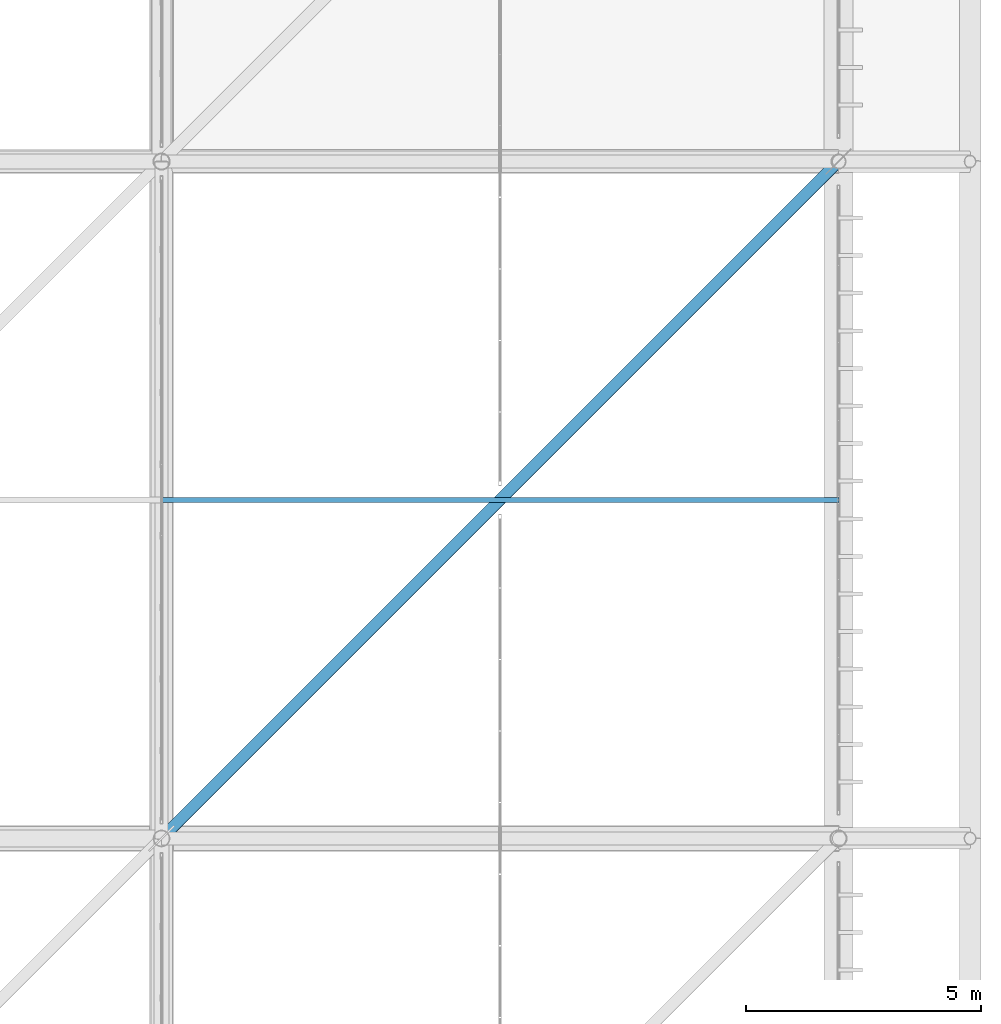
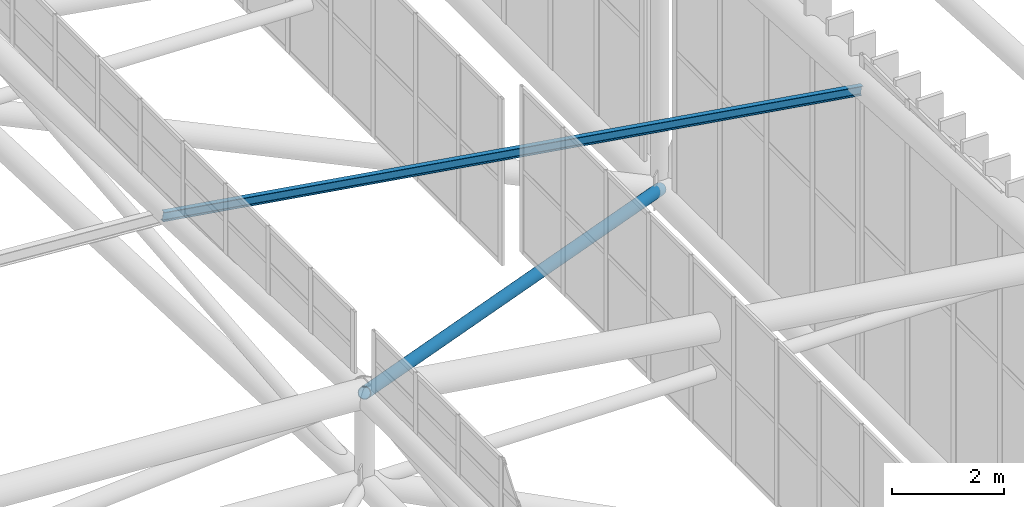
# One storey, part 277 of 397: 2 members.
"""IFC4 building model written with IfcOpenShell, lengths in metres."""

from ifc_helpers import new_model, si_unit, direction, frame, origin, origin_2d, place, context, subcontext, project, spatial, hollow_circle, i_section, extrude, material, material_profile, profile_set, type_object, element, save


model = new_model("IFC4")

# Units and contexts
model_context = context("Model", 3, precision=1e-05, world=origin(), true_north=direction((0.0, 1.0)))
body_context = subcontext(model_context, "Body", "Model", "MODEL_VIEW")
ifc_project = project(units=[si_unit("LENGTHUNIT", "METRE"), si_unit("AREAUNIT", "SQUARE_METRE"), si_unit("VOLUMEUNIT", "CUBIC_METRE"), si_unit("PLANEANGLEUNIT", "RADIAN"), si_unit("MASSUNIT", "GRAM", prefix="KILO")], contexts=[model_context])

# Site, building, storey
site_placement = place(None, origin())
site = spatial("IfcSite", under=ifc_project, at=site_placement, CompositionType="ELEMENT")
building_placement = place(site_placement, origin())
building = spatial("IfcBuilding", under=site, at=building_placement, Name="Qandorah Velis Arena", CompositionType="ELEMENT")
storey_placement = place(building_placement, frame((0.0, 0.0, 27.5)))
storey = spatial("IfcBuildingStorey", under=building, at=storey_placement, Name="RF", CompositionType="ELEMENT", Elevation=27.5)

# Members
ifc_material = material(Name="Steel S355", Category="steel")
ifc_material_profile_1 = material_profile(ifc_material, i_section(OverallWidth=0.10009765625, OverallDepth=0.199951171875, WebThickness=0.005615234375, FlangeThickness=0.008544921875, FilletRadius=0.011962890625, at=origin_2d()), Name="IPE 200")
ifc_profile_set_1 = profile_set([ifc_material_profile_1], Name="Steel S355")
member_type_1 = type_object("IfcMemberType", Name="STR-PRL-IPE200", PredefinedType="PURLIN", material=ifc_profile_set_1)
member_1_placement = place(storey_placement, frame((100.800048828125, 79.199951171875, 8.92529296875), z_axis=(0.987633511946, 0.0, -0.156780247742), x_axis=(0.0, 1.0, 0.0)))
element("IfcMember", 1, at=member_1_placement, inside=storey, type_object=member_type_1, Name="Arena roof purlin PRL-6.4", PredefinedType="PURLIN", context=body_context, shape_type="SweptSolid", body=[
    extrude(i_section(OverallWidth=0.10009765625, OverallDepth=0.199951171875, WebThickness=0.005615234375, FlangeThickness=0.008544921875, FilletRadius=0.011962890625, at=origin_2d()), origin(), (0.0, 0.0, 1.0), 14.580322265625),
])
ifc_material_profile_2 = material_profile(ifc_material, hollow_circle(Radius=0.122314453125, WallThickness=0.012451171875, at=origin_2d()), Name="CHS 244.5x12.5")
ifc_profile_set_2 = profile_set([ifc_material_profile_2], Name="Steel S355")
member_type_2 = type_object("IfcMemberType", Name="STR-SFD-CHS244X12", PredefinedType="STRUT", material=ifc_profile_set_2)
member_2_placement = place(storey_placement, frame((115.199951171875, 86.39990234375, 0.10009765625), z_axis=(-0.64281472876, -0.64281472876, 0.416627470263), x_axis=(0.707106781187, -0.707106781187, 0.0)))
element("IfcMember", 2, at=member_2_placement, inside=storey, type_object=member_type_2, Name="Space frame roof spatial diagonal 6.4", PredefinedType="STRUT", context=body_context, shape_type="SweptSolid", body=[
    extrude(hollow_circle(Radius=0.122314453125, WallThickness=0.012451171875, at=origin_2d()), origin(), (0.0, 0.0, 1.0), 22.4013671875),
])

save(model, "model.ifc")
